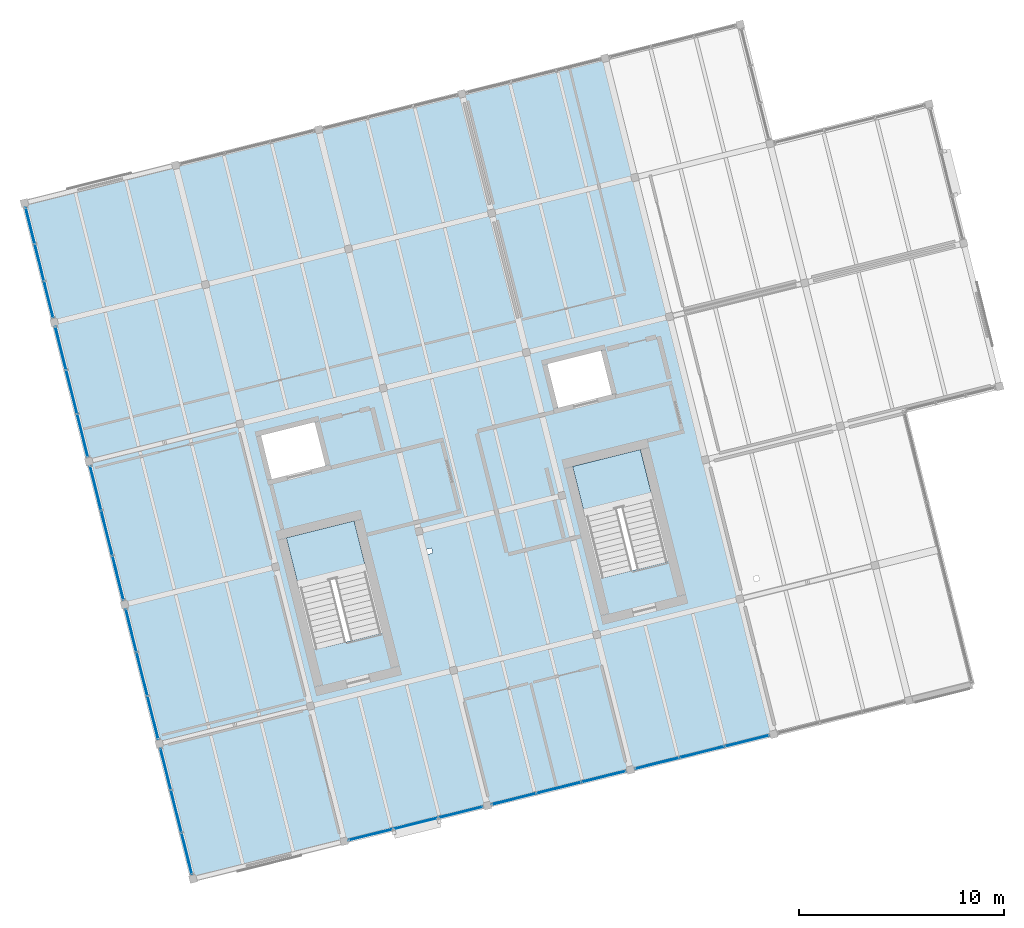
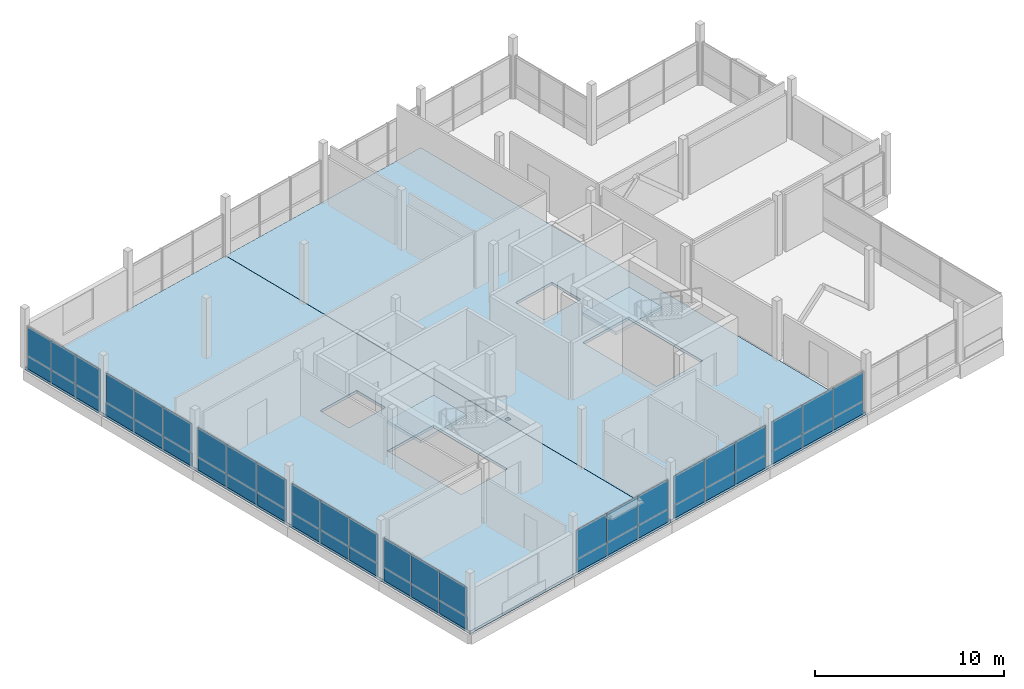
# One storey, part 23 of 28: 48 plates, 4 slabs, 10 elements without a shape of their own.
"""IFC4 building model written with IfcOpenShell, lengths in metres."""

from ifc_helpers import new_model, si_unit, direction, frame, origin, origin_2d, place, context, subcontext, project, spatial, polyline, rectangle, outline, extrude, material, layer, layer_set, type_object, element, aggregate, save


model = new_model("IFC4")

# Units and contexts
model_context = context("Model", 3, precision=1e-05, world=origin(), true_north=direction((0.0, 1.0)))
body_context = subcontext(model_context, "Body", "Model", "MODEL_VIEW")
ifc_project = project(units=[si_unit("LENGTHUNIT", "METRE"), si_unit("AREAUNIT", "SQUARE_METRE"), si_unit("VOLUMEUNIT", "CUBIC_METRE"), si_unit("PLANEANGLEUNIT", "RADIAN"), si_unit("MASSUNIT", "GRAM", prefix="KILO")], contexts=[model_context])

# Site, building, storey
site_placement = place(None, origin())
site = spatial("IfcSite", under=ifc_project, at=site_placement, CompositionType="ELEMENT")
building_placement = place(site_placement, origin())
building = spatial("IfcBuilding", under=site, at=building_placement, Name="Meriwether Solvik Hall", CompositionType="ELEMENT")
storey_placement = place(building_placement, frame((0.0, 0.0, 37.800048828125)))
storey = spatial("IfcBuildingStorey", under=building, at=storey_placement, Name="L09", CompositionType="ELEMENT", Elevation=37.800048828125)

# Curtain wall, plates
ifc_material_1 = material(Name="Thermally Broken Anodised Aluminium 6063-T6 and Low-E Glass", Category="aluminium")
ifc_layer_1 = layer(ifc_material_1, 0.179931640625)
ifc_layer_set_1 = layer_set([ifc_layer_1], Name="Thermally Broken Anodised Aluminium 6063-T6 and Low-E Glass")
curtain_wall_type_1 = type_object("IfcCurtainWallType", Name="CW-UNIT-A", PredefinedType="USERDEFINED", material=ifc_layer_set_1)
curtain_wall_1_placement = place(storey_placement, origin())
curtain_wall_1 = element("IfcCurtainWall", 1, at=curtain_wall_1_placement, inside=storey, type_object=curtain_wall_type_1, Name="Curtain Wall E0_B1 (L09)", ObjectType="UNITISED CURTAIN WALL", PredefinedType="USERDEFINED")
ifc_material_2 = material(Name="Low-Emissivity Double-Glazed Laminated Glass", Category="glass")
ifc_layer_2 = layer(ifc_material_2, 0.031982421875)
ifc_layer_set_2 = layer_set([ifc_layer_2], Name="Low-Emissivity Double-Glazed Laminated Glass")
plate_type_1 = type_object("IfcPlateType", Name="PLT-GLZ-180X185", PredefinedType="CURTAIN_PANEL", material=ifc_layer_set_2)
plate_1_placement = place(storey_placement, frame((81.65185546875, 44.4541015625, 0.8369140625), z_axis=(0.0, 0.0, 1.0), x_axis=(-0.970295725693, -0.241921897937, 0.0)))
plate_1 = element("IfcPlate", 2, at=plate_1_placement, type_object=plate_type_1, Name="Low-E Vision Glazing Panel 1", PredefinedType="CURTAIN_PANEL", context=body_context, shape_type="SweptSolid", body=[
    extrude(rectangle(XDim=2.224365234375, YDim=0.033935546875, at=origin_2d()), origin(), (0.0, 0.0, 1.0), 1.89306640625),
])
plate_2_placement = place(storey_placement, frame((79.46728515625, 43.909423828125, 0.8369140625), z_axis=(0.0, 0.0, 1.0), x_axis=(-0.970295725693, -0.241921897937, 0.0)))
plate_2 = element("IfcPlate", 3, at=plate_2_placement, type_object=plate_type_1, Name="Low-E Vision Glazing Panel 2", PredefinedType="CURTAIN_PANEL", context=body_context, shape_type="SweptSolid", body=[
    extrude(rectangle(XDim=2.26220703125, YDim=0.033935546875, at=origin_2d()), origin(), (0.0, 0.0, 1.0), 1.89306640625),
])
plate_3_placement = place(storey_placement, frame((77.282958984375, 43.364990234375, 0.8369140625), z_axis=(0.0, 0.0, 1.0), x_axis=(-0.970295725693, -0.241921897937, 0.0)))
plate_3 = element("IfcPlate", 4, at=plate_3_placement, type_object=plate_type_1, Name="Low-E Vision Glazing Panel 3", PredefinedType="CURTAIN_PANEL", context=body_context, shape_type="SweptSolid", body=[
    extrude(rectangle(XDim=2.224365234375, YDim=0.033935546875, at=origin_2d()), origin(), (0.0, 0.0, 1.0), 1.89306640625),
])

curtain_wall_2_placement = place(storey_placement, origin())
curtain_wall_2 = element("IfcCurtainWall", 5, at=curtain_wall_2_placement, inside=storey, type_object=curtain_wall_type_1, Name="Curtain Wall E7_B1 (L09)", ObjectType="UNITISED CURTAIN WALL", PredefinedType="USERDEFINED")
plate_4_placement = place(storey_placement, frame((66.63671875, 49.07421875, 0.8369140625), z_axis=(0.0, 0.0, 1.0), x_axis=(-0.24192176891, 0.970295757863, 0.0)))
plate_4 = element("IfcPlate", 6, at=plate_4_placement, type_object=plate_type_1, Name="Low-E Vision Glazing Panel 1", PredefinedType="CURTAIN_PANEL", context=body_context, shape_type="SweptSolid", body=[
    extrude(rectangle(XDim=2.15771484375, YDim=0.033935546875, at=origin_2d()), origin(), (0.0, 0.0, 1.0), 1.89306640625),
])
plate_5_placement = place(storey_placement, frame((66.108154296875, 51.194091796875, 0.8369140625), z_axis=(0.0, 0.0, 1.0), x_axis=(-0.24192176891, 0.970295757863, 0.0)))
plate_5 = element("IfcPlate", 7, at=plate_5_placement, type_object=plate_type_1, Name="Low-E Vision Glazing Panel 2", PredefinedType="CURTAIN_PANEL", context=body_context, shape_type="SweptSolid", body=[
    extrude(rectangle(XDim=2.19580078125, YDim=0.033935546875, at=origin_2d()), origin(), (0.0, 0.0, 1.0), 1.89306640625),
])
plate_6_placement = place(storey_placement, frame((65.57958984375, 53.313720703125, 0.8369140625), z_axis=(0.0, 0.0, 1.0), x_axis=(-0.24192176891, 0.970295757863, 0.0)))
plate_6 = element("IfcPlate", 8, at=plate_6_placement, type_object=plate_type_1, Name="Low-E Vision Glazing Panel 3", PredefinedType="CURTAIN_PANEL", context=body_context, shape_type="SweptSolid", body=[
    extrude(rectangle(XDim=2.15771484375, YDim=0.033935546875, at=origin_2d()), origin(), (0.0, 0.0, 1.0), 1.89306640625),
])

ifc_material_3 = material(Name="Thermally Broken Anodised Aluminium 6063-T6 and Low-E Glass", Category="aluminium")
ifc_layer_3 = layer(ifc_material_3, 0.179931640625)
ifc_layer_set_3 = layer_set([ifc_layer_3], Name="Thermally Broken Anodised Aluminium 6063-T6 and Low-E Glass")
curtain_wall_type_2 = type_object("IfcCurtainWallType", Name="CW-UNIT-G", PredefinedType="USERDEFINED", material=ifc_layer_set_3)
curtain_wall_3_placement = place(storey_placement, origin())
curtain_wall_3 = element("IfcCurtainWall", 9, at=curtain_wall_3_placement, inside=storey, type_object=curtain_wall_type_2, Name="Curtain Wall E7_B0 (L09)", ObjectType="UNITISED CURTAIN WALL", PredefinedType="USERDEFINED")
ifc_material_4 = material(Name="Low-Emissivity Double-Glazed Laminated Glass", Category="glass")
ifc_layer_4 = layer(ifc_material_4, 0.031982421875)
ifc_layer_set_4 = layer_set([ifc_layer_4], Name="Low-Emissivity Double-Glazed Laminated Glass")
plate_type_2 = type_object("IfcPlateType", Name="PLT-GLZ-195X185", PredefinedType="CURTAIN_PANEL", material=ifc_layer_set_4)
plate_7_placement = place(storey_placement, frame((68.289794921875, 42.44384765625, 0.8369140625), z_axis=(0.0, 0.0, 1.0), x_axis=(-0.241921888555, 0.970295728032, 0.0)))
plate_7 = element("IfcPlate", 10, at=plate_7_placement, type_object=plate_type_2, Name="Low-E Vision Glazing Panel 1", PredefinedType="CURTAIN_PANEL", context=body_context, shape_type="SweptSolid", body=[
    extrude(rectangle(XDim=2.091064453125, YDim=0.033935546875, at=origin_2d()), origin(), (0.0, 0.0, 1.0), 1.89306640625),
])
plate_8_placement = place(storey_placement, frame((67.777587890625, 44.4990234375, 0.8369140625), z_axis=(0.0, 0.0, 1.0), x_axis=(-0.241921888555, 0.970295728032, 0.0)))
plate_8 = element("IfcPlate", 11, at=plate_8_placement, type_object=plate_type_2, Name="Low-E Vision Glazing Panel 2", PredefinedType="CURTAIN_PANEL", context=body_context, shape_type="SweptSolid", body=[
    extrude(rectangle(XDim=2.12890625, YDim=0.033935546875, at=origin_2d()), origin(), (0.0, 0.0, 1.0), 1.89306640625),
])
plate_9_placement = place(storey_placement, frame((67.26513671875, 46.55419921875, 0.8369140625), z_axis=(0.0, 0.0, 1.0), x_axis=(-0.241921888555, 0.970295728032, 0.0)))
plate_9 = element("IfcPlate", 12, at=plate_9_placement, type_object=plate_type_2, Name="Low-E Vision Glazing Panel 3", PredefinedType="CURTAIN_PANEL", context=body_context, shape_type="SweptSolid", body=[
    extrude(rectangle(XDim=2.091064453125, YDim=0.033935546875, at=origin_2d()), origin(), (0.0, 0.0, 1.0), 1.89306640625),
])

ifc_material_5 = material(Name="Thermally Broken Anodised Aluminium 6063-T6 and Low-E Glass", Category="aluminium")
ifc_layer_5 = layer(ifc_material_5, 0.179931640625)
ifc_layer_set_5 = layer_set([ifc_layer_5], Name="Thermally Broken Anodised Aluminium 6063-T6 and Low-E Glass")
curtain_wall_type_3 = type_object("IfcCurtainWallType", Name="CW-UNIT-D", PredefinedType="USERDEFINED", material=ifc_layer_set_5)
curtain_wall_4_placement = place(storey_placement, origin())
curtain_wall_4 = element("IfcCurtainWall", 13, at=curtain_wall_4_placement, inside=storey, type_object=curtain_wall_type_3, Name="Curtain Wall E7_B4 (L09)", ObjectType="UNITISED CURTAIN WALL", PredefinedType="USERDEFINED")
plate_10_placement = place(storey_placement, frame((61.54833984375, 69.48291015625, 0.8369140625), z_axis=(0.0, 0.0, 1.0), x_axis=(-0.241921949893, 0.970295712739, 0.0)))
plate_10 = element("IfcPlate", 14, at=plate_10_placement, type_object=plate_type_2, Name="Low-E Vision Glazing Panel 1", PredefinedType="CURTAIN_PANEL", context=body_context, shape_type="SweptSolid", body=[
    extrude(rectangle(XDim=1.82421875, YDim=0.033935546875, at=origin_2d()), origin(), (0.0, 0.0, 1.0), 1.89306640625),
])
plate_11_placement = place(storey_placement, frame((61.100341796875, 71.279052734375, 0.8369140625), z_axis=(0.0, 0.0, 1.0), x_axis=(-0.241921949893, 0.970295712739, 0.0)))
plate_11 = element("IfcPlate", 15, at=plate_11_placement, type_object=plate_type_2, Name="Low-E Vision Glazing Panel 2", PredefinedType="CURTAIN_PANEL", context=body_context, shape_type="SweptSolid", body=[
    extrude(rectangle(XDim=1.8623046875, YDim=0.033935546875, at=origin_2d()), origin(), (0.0, 0.0, 1.0), 1.89306640625),
])
plate_12_placement = place(storey_placement, frame((60.652587890625, 73.075439453125, 0.8369140625), z_axis=(0.0, 0.0, 1.0), x_axis=(-0.241921949893, 0.970295712739, 0.0)))
plate_12 = element("IfcPlate", 16, at=plate_12_placement, type_object=plate_type_2, Name="Low-E Vision Glazing Panel 3", PredefinedType="CURTAIN_PANEL", context=body_context, shape_type="SweptSolid", body=[
    extrude(rectangle(XDim=1.82421875, YDim=0.033935546875, at=origin_2d()), origin(), (0.0, 0.0, 1.0), 1.89306640625),
])

ifc_material_6 = material(Name="Thermally Broken Anodised Aluminium 6063-T6 and Low-E Glass", Category="aluminium")
ifc_layer_6 = layer(ifc_material_6, 0.179931640625)
ifc_layer_set_6 = layer_set([ifc_layer_6], Name="Thermally Broken Anodised Aluminium 6063-T6 and Low-E Glass")
curtain_wall_type_4 = type_object("IfcCurtainWallType", Name="CW-UNIT-C", PredefinedType="USERDEFINED", material=ifc_layer_set_6)
curtain_wall_5_placement = place(storey_placement, origin())
curtain_wall_5 = element("IfcCurtainWall", 17, at=curtain_wall_5_placement, inside=storey, type_object=curtain_wall_type_4, Name="Curtain Wall E0_B3 (L09)", ObjectType="UNITISED CURTAIN WALL", PredefinedType="USERDEFINED")
ifc_material_7 = material(Name="Low-Emissivity Double-Glazed Laminated Glass", Category="glass")
ifc_layer_7 = layer(ifc_material_7, 0.031982421875)
ifc_layer_set_7 = layer_set([ifc_layer_7], Name="Low-Emissivity Double-Glazed Laminated Glass")
plate_type_3 = type_object("IfcPlateType", Name="PLT-GLZ-210X195", PredefinedType="CURTAIN_PANEL", material=ifc_layer_set_7)
plate_13_placement = place(storey_placement, frame((95.6240234375, 47.937744140625, 0.8369140625), z_axis=(0.0, 0.0, 1.0), x_axis=(-0.97029573429, -0.241921863457, 0.0)))
plate_13 = element("IfcPlate", 18, at=plate_13_placement, type_object=plate_type_3, Name="Low-E Vision Glazing Panel 1", PredefinedType="CURTAIN_PANEL", context=body_context, shape_type="SweptSolid", body=[
    extrude(rectangle(XDim=2.224365234375, YDim=0.033935546875, at=origin_2d()), origin(), (0.0, 0.0, 1.0), 1.89306640625),
])
plate_14_placement = place(storey_placement, frame((93.439453125, 47.393310546875, 0.8369140625), z_axis=(0.0, 0.0, 1.0), x_axis=(-0.97029573429, -0.241921863457, 0.0)))
plate_14 = element("IfcPlate", 19, at=plate_14_placement, type_object=plate_type_3, Name="Low-E Vision Glazing Panel 2", PredefinedType="CURTAIN_PANEL", context=body_context, shape_type="SweptSolid", body=[
    extrude(rectangle(XDim=2.26220703125, YDim=0.033935546875, at=origin_2d()), origin(), (0.0, 0.0, 1.0), 1.89306640625),
])
plate_15_placement = place(storey_placement, frame((91.255126953125, 46.8486328125, 0.8369140625), z_axis=(0.0, 0.0, 1.0), x_axis=(-0.97029573429, -0.241921863457, 0.0)))
plate_15 = element("IfcPlate", 20, at=plate_15_placement, type_object=plate_type_3, Name="Low-E Vision Glazing Panel 3", PredefinedType="CURTAIN_PANEL", context=body_context, shape_type="SweptSolid", body=[
    extrude(rectangle(XDim=2.224365234375, YDim=0.033935546875, at=origin_2d()), origin(), (0.0, 0.0, 1.0), 1.89306640625),
])

curtain_wall_6_placement = place(storey_placement, origin())
curtain_wall_6 = element("IfcCurtainWall", 21, at=curtain_wall_6_placement, inside=storey, type_object=curtain_wall_type_4, Name="Curtain Wall E7_B3 (L09)", ObjectType="UNITISED CURTAIN WALL", PredefinedType="USERDEFINED")
plate_16_placement = place(storey_placement, frame((63.201416015625, 62.8525390625, 0.8369140625), z_axis=(0.0, 0.0, 1.0), x_axis=(-0.241921804422, 0.970295749009, 0.0)))
plate_16 = element("IfcPlate", 22, at=plate_16_placement, type_object=plate_type_3, Name="Low-E Vision Glazing Panel 1", PredefinedType="CURTAIN_PANEL", context=body_context, shape_type="SweptSolid", body=[
    extrude(rectangle(XDim=2.15771484375, YDim=0.033935546875, at=origin_2d()), origin(), (0.0, 0.0, 1.0), 1.89306640625),
])
plate_17_placement = place(storey_placement, frame((62.6728515625, 64.97216796875, 0.8369140625), z_axis=(0.0, 0.0, 1.0), x_axis=(-0.241921804422, 0.970295749009, 0.0)))
plate_17 = element("IfcPlate", 23, at=plate_17_placement, type_object=plate_type_3, Name="Low-E Vision Glazing Panel 2", PredefinedType="CURTAIN_PANEL", context=body_context, shape_type="SweptSolid", body=[
    extrude(rectangle(XDim=2.19580078125, YDim=0.033935546875, at=origin_2d()), origin(), (0.0, 0.0, 1.0), 1.89306640625),
])
plate_18_placement = place(storey_placement, frame((62.144287109375, 67.092041015625, 0.8369140625), z_axis=(0.0, 0.0, 1.0), x_axis=(-0.241921804422, 0.970295749009, 0.0)))
plate_18 = element("IfcPlate", 24, at=plate_18_placement, type_object=plate_type_3, Name="Low-E Vision Glazing Panel 3", PredefinedType="CURTAIN_PANEL", context=body_context, shape_type="SweptSolid", body=[
    extrude(rectangle(XDim=2.15771484375, YDim=0.033935546875, at=origin_2d()), origin(), (0.0, 0.0, 1.0), 1.89306640625),
])

ifc_material_8 = material(Name="Thermally Broken Anodised Aluminium 6063-T6 and Low-E Glass", Category="aluminium")
ifc_layer_8 = layer(ifc_material_8, 0.179931640625)
ifc_layer_set_8 = layer_set([ifc_layer_8], Name="Thermally Broken Anodised Aluminium 6063-T6 and Low-E Glass")
curtain_wall_type_5 = type_object("IfcCurtainWallType", Name="CW-UNIT-B", PredefinedType="USERDEFINED", material=ifc_layer_set_8)
curtain_wall_7_placement = place(storey_placement, origin())
curtain_wall_7 = element("IfcCurtainWall", 25, at=curtain_wall_7_placement, inside=storey, type_object=curtain_wall_type_5, Name="Curtain Wall E0_B2 (L09)", ObjectType="UNITISED CURTAIN WALL", PredefinedType="USERDEFINED")
ifc_material_9 = material(Name="Low-Emissivity Double-Glazed Laminated Glass", Category="glass")
ifc_layer_9 = layer(ifc_material_9, 0.031982421875)
ifc_layer_set_9 = layer_set([ifc_layer_9], Name="Low-Emissivity Double-Glazed Laminated Glass")
plate_type_4 = type_object("IfcPlateType", Name="PLT-GLZ-225X195", PredefinedType="CURTAIN_PANEL", material=ifc_layer_set_9)
plate_19_placement = place(storey_placement, frame((88.637939453125, 46.196044921875, 0.8369140625), z_axis=(0.0, 0.0, 1.0), x_axis=(-0.970295725693, -0.241921897937, 0.0)))
plate_19 = element("IfcPlate", 26, at=plate_19_placement, type_object=plate_type_4, Name="Low-E Vision Glazing Panel 1", PredefinedType="CURTAIN_PANEL", context=body_context, shape_type="SweptSolid", body=[
    extrude(rectangle(XDim=2.224365234375, YDim=0.033935546875, at=origin_2d()), origin(), (0.0, 0.0, 1.0), 1.89306640625),
])
plate_20_placement = place(storey_placement, frame((86.453369140625, 45.6513671875, 0.8369140625), z_axis=(0.0, 0.0, 1.0), x_axis=(-0.970295725693, -0.241921897937, 0.0)))
plate_20 = element("IfcPlate", 27, at=plate_20_placement, type_object=plate_type_4, Name="Low-E Vision Glazing Panel 2", PredefinedType="CURTAIN_PANEL", context=body_context, shape_type="SweptSolid", body=[
    extrude(rectangle(XDim=2.26220703125, YDim=0.033935546875, at=origin_2d()), origin(), (0.0, 0.0, 1.0), 1.89306640625),
])
plate_21_placement = place(storey_placement, frame((84.26904296875, 45.106689453125, 0.8369140625), z_axis=(0.0, 0.0, 1.0), x_axis=(-0.970295725693, -0.241921897937, 0.0)))
plate_21 = element("IfcPlate", 28, at=plate_21_placement, type_object=plate_type_4, Name="Low-E Vision Glazing Panel 3", PredefinedType="CURTAIN_PANEL", context=body_context, shape_type="SweptSolid", body=[
    extrude(rectangle(XDim=2.224365234375, YDim=0.033935546875, at=origin_2d()), origin(), (0.0, 0.0, 1.0), 1.89306640625),
])

curtain_wall_8_placement = place(storey_placement, origin())
curtain_wall_8 = element("IfcCurtainWall", 29, at=curtain_wall_8_placement, inside=storey, type_object=curtain_wall_type_5, Name="Curtain Wall E7_B2 (L09)", ObjectType="UNITISED CURTAIN WALL", PredefinedType="USERDEFINED")
plate_22_placement = place(storey_placement, frame((64.935302734375, 55.898681640625, 0.8369140625), z_axis=(0.0, 0.0, 1.0), x_axis=(-0.241921897937, 0.970295725693, 0.0)))
plate_22 = element("IfcPlate", 30, at=plate_22_placement, type_object=plate_type_4, Name="Low-E Vision Glazing Panel 1", PredefinedType="CURTAIN_PANEL", context=body_context, shape_type="SweptSolid", body=[
    extrude(rectangle(XDim=2.224365234375, YDim=0.033935546875, at=origin_2d()), origin(), (0.0, 0.0, 1.0), 1.89306640625),
])
plate_23_placement = place(storey_placement, frame((64.390625, 58.083251953125, 0.8369140625), z_axis=(0.0, 0.0, 1.0), x_axis=(-0.241921897937, 0.970295725693, 0.0)))
plate_23 = element("IfcPlate", 31, at=plate_23_placement, type_object=plate_type_4, Name="Low-E Vision Glazing Panel 2", PredefinedType="CURTAIN_PANEL", context=body_context, shape_type="SweptSolid", body=[
    extrude(rectangle(XDim=2.26220703125, YDim=0.033935546875, at=origin_2d()), origin(), (0.0, 0.0, 1.0), 1.89306640625),
])
plate_24_placement = place(storey_placement, frame((63.845947265625, 60.267578125, 0.8369140625), z_axis=(0.0, 0.0, 1.0), x_axis=(-0.241921897937, 0.970295725693, 0.0)))
plate_24 = element("IfcPlate", 32, at=plate_24_placement, type_object=plate_type_4, Name="Low-E Vision Glazing Panel 3", PredefinedType="CURTAIN_PANEL", context=body_context, shape_type="SweptSolid", body=[
    extrude(rectangle(XDim=2.224365234375, YDim=0.033935546875, at=origin_2d()), origin(), (0.0, 0.0, 1.0), 1.89306640625),
])

# Plate
ifc_material_10 = material(Name="Mineral-Wool Insulated Anodised Aluminium 6063-T6", Category="aluminium")
ifc_layer_10 = layer(ifc_material_10, 0.044921875)
ifc_layer_set_10 = layer_set([ifc_layer_10], Name="Mineral-Wool Insulated Anodised Aluminium 6063-T6")
plate_type_5 = type_object("IfcPlateType", Name="PLT-SPN-225X085", PredefinedType="CURTAIN_PANEL", material=ifc_layer_set_10)
plate_25_placement = place(storey_placement, frame((81.65185546875, 44.4541015625, 0.0), z_axis=(0.0, 0.0, 1.0), x_axis=(-0.970295725693, -0.241921897937, 0.0)))
plate_25 = element("IfcPlate", 33, at=plate_25_placement, type_object=plate_type_5, Name="Insulated Spandrel Panel 1", PredefinedType="CURTAIN_PANEL", context=body_context, shape_type="SweptSolid", body=[
    extrude(rectangle(XDim=2.224365234375, YDim=0.044921875, at=origin_2d()), origin(), (0.0, 0.0, 1.0), 0.8369140625),
])

plate_26_placement = place(storey_placement, frame((79.46728515625, 43.909423828125, 0.0), z_axis=(0.0, 0.0, 1.0), x_axis=(-0.970295725693, -0.241921897937, 0.0)))
plate_26 = element("IfcPlate", 34, at=plate_26_placement, type_object=plate_type_5, Name="Insulated Spandrel Panel 2", PredefinedType="CURTAIN_PANEL", context=body_context, shape_type="SweptSolid", body=[
    extrude(rectangle(XDim=2.26220703125, YDim=0.044921875, at=origin_2d()), origin(), (0.0, 0.0, 1.0), 0.8369140625),
])

plate_27_placement = place(storey_placement, frame((77.282958984375, 43.364990234375, 0.0), z_axis=(0.0, 0.0, 1.0), x_axis=(-0.970295725693, -0.241921897937, 0.0)))
plate_27 = element("IfcPlate", 35, at=plate_27_placement, type_object=plate_type_5, Name="Insulated Spandrel Panel 3", PredefinedType="CURTAIN_PANEL", context=body_context, shape_type="SweptSolid", body=[
    extrude(rectangle(XDim=2.224365234375, YDim=0.044921875, at=origin_2d()), origin(), (0.0, 0.0, 1.0), 0.8369140625),
])

aggregate(curtain_wall_1, [plate_25, plate_1, plate_26, plate_2, plate_27, plate_3])

plate_28_placement = place(storey_placement, frame((88.637939453125, 46.196044921875, 0.0), z_axis=(0.0, 0.0, 1.0), x_axis=(-0.970295725693, -0.241921897937, 0.0)))
plate_28 = element("IfcPlate", 36, at=plate_28_placement, type_object=plate_type_5, Name="Insulated Spandrel Panel 1", PredefinedType="CURTAIN_PANEL", context=body_context, shape_type="SweptSolid", body=[
    extrude(rectangle(XDim=2.224365234375, YDim=0.044921875, at=origin_2d()), origin(), (0.0, 0.0, 1.0), 0.8369140625),
])

plate_29_placement = place(storey_placement, frame((86.453369140625, 45.6513671875, 0.0), z_axis=(0.0, 0.0, 1.0), x_axis=(-0.970295725693, -0.241921897937, 0.0)))
plate_29 = element("IfcPlate", 37, at=plate_29_placement, type_object=plate_type_5, Name="Insulated Spandrel Panel 2", PredefinedType="CURTAIN_PANEL", context=body_context, shape_type="SweptSolid", body=[
    extrude(rectangle(XDim=2.26220703125, YDim=0.044921875, at=origin_2d()), origin(), (0.0, 0.0, 1.0), 0.8369140625),
])

plate_30_placement = place(storey_placement, frame((84.26904296875, 45.106689453125, 0.0), z_axis=(0.0, 0.0, 1.0), x_axis=(-0.970295725693, -0.241921897937, 0.0)))
plate_30 = element("IfcPlate", 38, at=plate_30_placement, type_object=plate_type_5, Name="Insulated Spandrel Panel 3", PredefinedType="CURTAIN_PANEL", context=body_context, shape_type="SweptSolid", body=[
    extrude(rectangle(XDim=2.224365234375, YDim=0.044921875, at=origin_2d()), origin(), (0.0, 0.0, 1.0), 0.8369140625),
])

aggregate(curtain_wall_7, [plate_28, plate_19, plate_29, plate_20, plate_30, plate_21])

plate_31_placement = place(storey_placement, frame((95.6240234375, 47.937744140625, 0.0), z_axis=(0.0, 0.0, 1.0), x_axis=(-0.97029573429, -0.241921863457, 0.0)))
plate_31 = element("IfcPlate", 39, at=plate_31_placement, type_object=plate_type_5, Name="Insulated Spandrel Panel 1", PredefinedType="CURTAIN_PANEL", context=body_context, shape_type="SweptSolid", body=[
    extrude(rectangle(XDim=2.224365234375, YDim=0.044921875, at=origin_2d()), origin(), (0.0, 0.0, 1.0), 0.8369140625),
])

plate_32_placement = place(storey_placement, frame((93.439453125, 47.393310546875, 0.0), z_axis=(0.0, 0.0, 1.0), x_axis=(-0.97029573429, -0.241921863457, 0.0)))
plate_32 = element("IfcPlate", 40, at=plate_32_placement, type_object=plate_type_5, Name="Insulated Spandrel Panel 2", PredefinedType="CURTAIN_PANEL", context=body_context, shape_type="SweptSolid", body=[
    extrude(rectangle(XDim=2.26220703125, YDim=0.044921875, at=origin_2d()), origin(), (0.0, 0.0, 1.0), 0.8369140625),
])

plate_33_placement = place(storey_placement, frame((91.255126953125, 46.8486328125, 0.0), z_axis=(0.0, 0.0, 1.0), x_axis=(-0.97029573429, -0.241921863457, 0.0)))
plate_33 = element("IfcPlate", 41, at=plate_33_placement, type_object=plate_type_5, Name="Insulated Spandrel Panel 3", PredefinedType="CURTAIN_PANEL", context=body_context, shape_type="SweptSolid", body=[
    extrude(rectangle(XDim=2.224365234375, YDim=0.044921875, at=origin_2d()), origin(), (0.0, 0.0, 1.0), 0.8369140625),
])

aggregate(curtain_wall_5, [plate_31, plate_13, plate_32, plate_14, plate_33, plate_15])

plate_34_placement = place(storey_placement, frame((68.289794921875, 42.44384765625, 0.0), z_axis=(0.0, 0.0, 1.0), x_axis=(-0.241921888555, 0.970295728032, 0.0)))
plate_34 = element("IfcPlate", 42, at=plate_34_placement, type_object=plate_type_5, Name="Insulated Spandrel Panel 1", PredefinedType="CURTAIN_PANEL", context=body_context, shape_type="SweptSolid", body=[
    extrude(rectangle(XDim=2.091064453125, YDim=0.044921875, at=origin_2d()), origin(), (0.0, 0.0, 1.0), 0.8369140625),
])

plate_35_placement = place(storey_placement, frame((67.777587890625, 44.4990234375, 0.0), z_axis=(0.0, 0.0, 1.0), x_axis=(-0.241921888555, 0.970295728032, 0.0)))
plate_35 = element("IfcPlate", 43, at=plate_35_placement, type_object=plate_type_5, Name="Insulated Spandrel Panel 2", PredefinedType="CURTAIN_PANEL", context=body_context, shape_type="SweptSolid", body=[
    extrude(rectangle(XDim=2.12890625, YDim=0.044921875, at=origin_2d()), origin(), (0.0, 0.0, 1.0), 0.8369140625),
])

plate_36_placement = place(storey_placement, frame((67.26513671875, 46.55419921875, 0.0), z_axis=(0.0, 0.0, 1.0), x_axis=(-0.241921888555, 0.970295728032, 0.0)))
plate_36 = element("IfcPlate", 44, at=plate_36_placement, type_object=plate_type_5, Name="Insulated Spandrel Panel 3", PredefinedType="CURTAIN_PANEL", context=body_context, shape_type="SweptSolid", body=[
    extrude(rectangle(XDim=2.091064453125, YDim=0.044921875, at=origin_2d()), origin(), (0.0, 0.0, 1.0), 0.8369140625),
])

aggregate(curtain_wall_3, [plate_34, plate_7, plate_35, plate_8, plate_36, plate_9])

plate_37_placement = place(storey_placement, frame((66.63671875, 49.07421875, 0.0), z_axis=(0.0, 0.0, 1.0), x_axis=(-0.24192176891, 0.970295757863, 0.0)))
plate_37 = element("IfcPlate", 45, at=plate_37_placement, type_object=plate_type_5, Name="Insulated Spandrel Panel 1", PredefinedType="CURTAIN_PANEL", context=body_context, shape_type="SweptSolid", body=[
    extrude(rectangle(XDim=2.15771484375, YDim=0.044921875, at=origin_2d()), origin(), (0.0, 0.0, 1.0), 0.8369140625),
])

plate_38_placement = place(storey_placement, frame((66.108154296875, 51.194091796875, 0.0), z_axis=(0.0, 0.0, 1.0), x_axis=(-0.24192176891, 0.970295757863, 0.0)))
plate_38 = element("IfcPlate", 46, at=plate_38_placement, type_object=plate_type_5, Name="Insulated Spandrel Panel 2", PredefinedType="CURTAIN_PANEL", context=body_context, shape_type="SweptSolid", body=[
    extrude(rectangle(XDim=2.19580078125, YDim=0.044921875, at=origin_2d()), origin(), (0.0, 0.0, 1.0), 0.8369140625),
])

plate_39_placement = place(storey_placement, frame((65.57958984375, 53.313720703125, 0.0), z_axis=(0.0, 0.0, 1.0), x_axis=(-0.24192176891, 0.970295757863, 0.0)))
plate_39 = element("IfcPlate", 47, at=plate_39_placement, type_object=plate_type_5, Name="Insulated Spandrel Panel 3", PredefinedType="CURTAIN_PANEL", context=body_context, shape_type="SweptSolid", body=[
    extrude(rectangle(XDim=2.15771484375, YDim=0.044921875, at=origin_2d()), origin(), (0.0, 0.0, 1.0), 0.8369140625),
])

aggregate(curtain_wall_2, [plate_37, plate_4, plate_38, plate_5, plate_39, plate_6])

plate_40_placement = place(storey_placement, frame((64.935302734375, 55.898681640625, 0.0), z_axis=(0.0, 0.0, 1.0), x_axis=(-0.241921897937, 0.970295725693, 0.0)))
plate_40 = element("IfcPlate", 48, at=plate_40_placement, type_object=plate_type_5, Name="Insulated Spandrel Panel 1", PredefinedType="CURTAIN_PANEL", context=body_context, shape_type="SweptSolid", body=[
    extrude(rectangle(XDim=2.224365234375, YDim=0.044921875, at=origin_2d()), origin(), (0.0, 0.0, 1.0), 0.8369140625),
])

plate_41_placement = place(storey_placement, frame((64.390625, 58.083251953125, 0.0), z_axis=(0.0, 0.0, 1.0), x_axis=(-0.241921897937, 0.970295725693, 0.0)))
plate_41 = element("IfcPlate", 49, at=plate_41_placement, type_object=plate_type_5, Name="Insulated Spandrel Panel 2", PredefinedType="CURTAIN_PANEL", context=body_context, shape_type="SweptSolid", body=[
    extrude(rectangle(XDim=2.26220703125, YDim=0.044921875, at=origin_2d()), origin(), (0.0, 0.0, 1.0), 0.8369140625),
])

plate_42_placement = place(storey_placement, frame((63.845947265625, 60.267578125, 0.0), z_axis=(0.0, 0.0, 1.0), x_axis=(-0.241921897937, 0.970295725693, 0.0)))
plate_42 = element("IfcPlate", 50, at=plate_42_placement, type_object=plate_type_5, Name="Insulated Spandrel Panel 3", PredefinedType="CURTAIN_PANEL", context=body_context, shape_type="SweptSolid", body=[
    extrude(rectangle(XDim=2.224365234375, YDim=0.044921875, at=origin_2d()), origin(), (0.0, 0.0, 1.0), 0.8369140625),
])

aggregate(curtain_wall_8, [plate_40, plate_22, plate_41, plate_23, plate_42, plate_24])

plate_43_placement = place(storey_placement, frame((63.201416015625, 62.8525390625, 0.0), z_axis=(0.0, 0.0, 1.0), x_axis=(-0.241921804422, 0.970295749009, 0.0)))
plate_43 = element("IfcPlate", 51, at=plate_43_placement, type_object=plate_type_5, Name="Insulated Spandrel Panel 1", PredefinedType="CURTAIN_PANEL", context=body_context, shape_type="SweptSolid", body=[
    extrude(rectangle(XDim=2.15771484375, YDim=0.044921875, at=origin_2d()), origin(), (0.0, 0.0, 1.0), 0.8369140625),
])

plate_44_placement = place(storey_placement, frame((62.6728515625, 64.97216796875, 0.0), z_axis=(0.0, 0.0, 1.0), x_axis=(-0.241921804422, 0.970295749009, 0.0)))
plate_44 = element("IfcPlate", 52, at=plate_44_placement, type_object=plate_type_5, Name="Insulated Spandrel Panel 2", PredefinedType="CURTAIN_PANEL", context=body_context, shape_type="SweptSolid", body=[
    extrude(rectangle(XDim=2.19580078125, YDim=0.044921875, at=origin_2d()), origin(), (0.0, 0.0, 1.0), 0.8369140625),
])

plate_45_placement = place(storey_placement, frame((62.144287109375, 67.092041015625, 0.0), z_axis=(0.0, 0.0, 1.0), x_axis=(-0.241921804422, 0.970295749009, 0.0)))
plate_45 = element("IfcPlate", 53, at=plate_45_placement, type_object=plate_type_5, Name="Insulated Spandrel Panel 3", PredefinedType="CURTAIN_PANEL", context=body_context, shape_type="SweptSolid", body=[
    extrude(rectangle(XDim=2.15771484375, YDim=0.044921875, at=origin_2d()), origin(), (0.0, 0.0, 1.0), 0.8369140625),
])

aggregate(curtain_wall_6, [plate_43, plate_16, plate_44, plate_17, plate_45, plate_18])

plate_46_placement = place(storey_placement, frame((61.54833984375, 69.48291015625, 0.0), z_axis=(0.0, 0.0, 1.0), x_axis=(-0.241921949893, 0.970295712739, 0.0)))
plate_46 = element("IfcPlate", 54, at=plate_46_placement, type_object=plate_type_5, Name="Insulated Spandrel Panel 1", PredefinedType="CURTAIN_PANEL", context=body_context, shape_type="SweptSolid", body=[
    extrude(rectangle(XDim=1.82421875, YDim=0.044921875, at=origin_2d()), origin(), (0.0, 0.0, 1.0), 0.8369140625),
])

plate_47_placement = place(storey_placement, frame((61.100341796875, 71.279052734375, 0.0), z_axis=(0.0, 0.0, 1.0), x_axis=(-0.241921949893, 0.970295712739, 0.0)))
plate_47 = element("IfcPlate", 55, at=plate_47_placement, type_object=plate_type_5, Name="Insulated Spandrel Panel 2", PredefinedType="CURTAIN_PANEL", context=body_context, shape_type="SweptSolid", body=[
    extrude(rectangle(XDim=1.8623046875, YDim=0.044921875, at=origin_2d()), origin(), (0.0, 0.0, 1.0), 0.8369140625),
])

plate_48_placement = place(storey_placement, frame((60.652587890625, 73.075439453125, 0.0), z_axis=(0.0, 0.0, 1.0), x_axis=(-0.241921949893, 0.970295712739, 0.0)))
plate_48 = element("IfcPlate", 56, at=plate_48_placement, type_object=plate_type_5, Name="Insulated Spandrel Panel 3", PredefinedType="CURTAIN_PANEL", context=body_context, shape_type="SweptSolid", body=[
    extrude(rectangle(XDim=1.82421875, YDim=0.044921875, at=origin_2d()), origin(), (0.0, 0.0, 1.0), 0.8369140625),
])

aggregate(curtain_wall_4, [plate_46, plate_10, plate_47, plate_11, plate_48, plate_12])

# Slabs
ifc_material_11 = material(Name="Cross-Laminated Timber PRG 320 E1", Category="wood")
ifc_layer_11 = layer(ifc_material_11, 0.179931640625)
ifc_layer_set_11 = layer_set([ifc_layer_11], Name="Cross-Laminated Timber PRG 320 E1")
slab_type_1 = type_object("IfcSlabType", Name="SLB-CLT-180", PredefinedType="FLOOR", material=ifc_layer_set_11)
slab_1_placement = place(storey_placement, frame((0.0, 0.0, -0.179931640625)))
element("IfcSlab", 57, at=slab_1_placement, inside=storey, type_object=slab_type_1, Name="L09 Mass-Timber CLT Floor W", PredefinedType="FLOOR", context=body_context, shape_type="SweptSolid", body=[
    extrude(outline(polyline([(74.732177734375, 77.769775390625), (82.95751953125, 44.77978515625), (68.60009765625, 41.199951171875), (60.374755859375, 74.18994140625), (74.732177734375, 77.769775390625)]), holes=[polyline([(74.5205078125, 52.382568359375), (77.819580078125, 53.205078125), (76.45703125, 58.669677734375), (73.157958984375, 57.84716796875), (74.5205078125, 52.382568359375)]), polyline([(71.912109375, 62.84423828125), (72.4443359375, 60.70947265625), (75.064208984375, 61.36279296875), (74.531982421875, 63.497314453125), (71.912109375, 62.84423828125)])]), origin(), (0.0, 0.0, 1.0), 0.179931640625),
])
slab_2_placement = place(storey_placement, frame((0.0, 0.0, -0.179931640625)))
element("IfcSlab", 58, at=slab_2_placement, inside=storey, type_object=slab_type_1, Name="L09 Mass-Timber CLT Floor C", PredefinedType="FLOOR", context=body_context, shape_type="SweptSolid", body=[
    extrude(outline(polyline([(88.704345703125, 81.25341796875), (96.9296875, 48.263427734375), (82.96337890625, 44.78125), (74.738037109375, 77.771240234375), (88.704345703125, 81.25341796875)]), holes=[polyline([(79.997314453125, 57.284912109375), (80.0576171875, 57.04248046875), (80.30029296875, 57.10302734375), (80.23974609375, 57.345458984375), (79.997314453125, 57.284912109375)]), polyline([(88.492919921875, 55.8662109375), (91.791748046875, 56.688720703125), (90.429443359375, 62.1533203125), (87.13037109375, 61.330810546875), (88.492919921875, 55.8662109375)]), polyline([(85.884521484375, 66.327880859375), (86.416748046875, 64.193359375), (89.036376953125, 64.846435546875), (88.504150390625, 66.981201171875), (85.884521484375, 66.327880859375)])]), origin(), (0.0, 0.0, 1.0), 0.179931640625),
])

# Stair, slab
ifc_material_12 = material(Name="Concrete C40/50", Category="concrete")
stair_type = type_object("IfcStairType", Name="STR-CORE-DOGLEG-A", PredefinedType="TWO_STRAIGHT_RUN_STAIR", material=ifc_material_12)
stair_1_placement = place(storey_placement, origin())
stair_1 = element("IfcStair", 59, at=stair_1_placement, inside=storey, type_object=stair_type, Name="Exit Stair ST-01 (L09)", PredefinedType="TWO_STRAIGHT_RUN_STAIR")
ifc_material_13 = material(Name="Concrete C40/50", Category="concrete")
ifc_layer_12 = layer(ifc_material_13, 0.199951171875)
ifc_layer_set_12 = layer_set([ifc_layer_12], Name="Concrete C40/50")
slab_type_2 = type_object("IfcSlabType", Name="SLB-LND-200", PredefinedType="LANDING", material=ifc_layer_set_12)
slab_3_placement = place(storey_placement, frame((0.0, 0.0, 1.75)))
slab_3 = element("IfcSlab", 60, at=slab_3_placement, type_object=slab_type_2, Name="Stair ST-01 Half Landing (L09)", PredefinedType="LANDING", context=body_context, shape_type="SweptSolid", body=[
    extrude(outline(polyline([(73.76611328125, 55.38818359375), (77.07470703125, 56.213134765625), (76.460693359375, 58.67578125), (73.152099609375, 57.850830078125), (73.76611328125, 55.38818359375)])), origin(), (0.0, 0.0, 1.0), 0.199951171875),
])
aggregate(stair_1, [slab_3])

stair_2_placement = place(storey_placement, origin())
stair_2 = element("IfcStair", 61, at=stair_2_placement, inside=storey, type_object=stair_type, Name="Exit Stair ST-02 (L09)", PredefinedType="TWO_STRAIGHT_RUN_STAIR")
slab_4_placement = place(storey_placement, frame((0.0, 0.0, 1.75)))
slab_4 = element("IfcSlab", 62, at=slab_4_placement, type_object=slab_type_2, Name="Stair ST-02 Half Landing (L09)", PredefinedType="LANDING", context=body_context, shape_type="SweptSolid", body=[
    extrude(outline(polyline([(87.73828125, 58.871826171875), (91.046875, 59.69677734375), (90.432861328125, 62.159423828125), (87.124267578125, 61.33447265625), (87.73828125, 58.871826171875)])), origin(), (0.0, 0.0, 1.0), 0.199951171875),
])
aggregate(stair_2, [slab_4])

save(model, "model.ifc")
